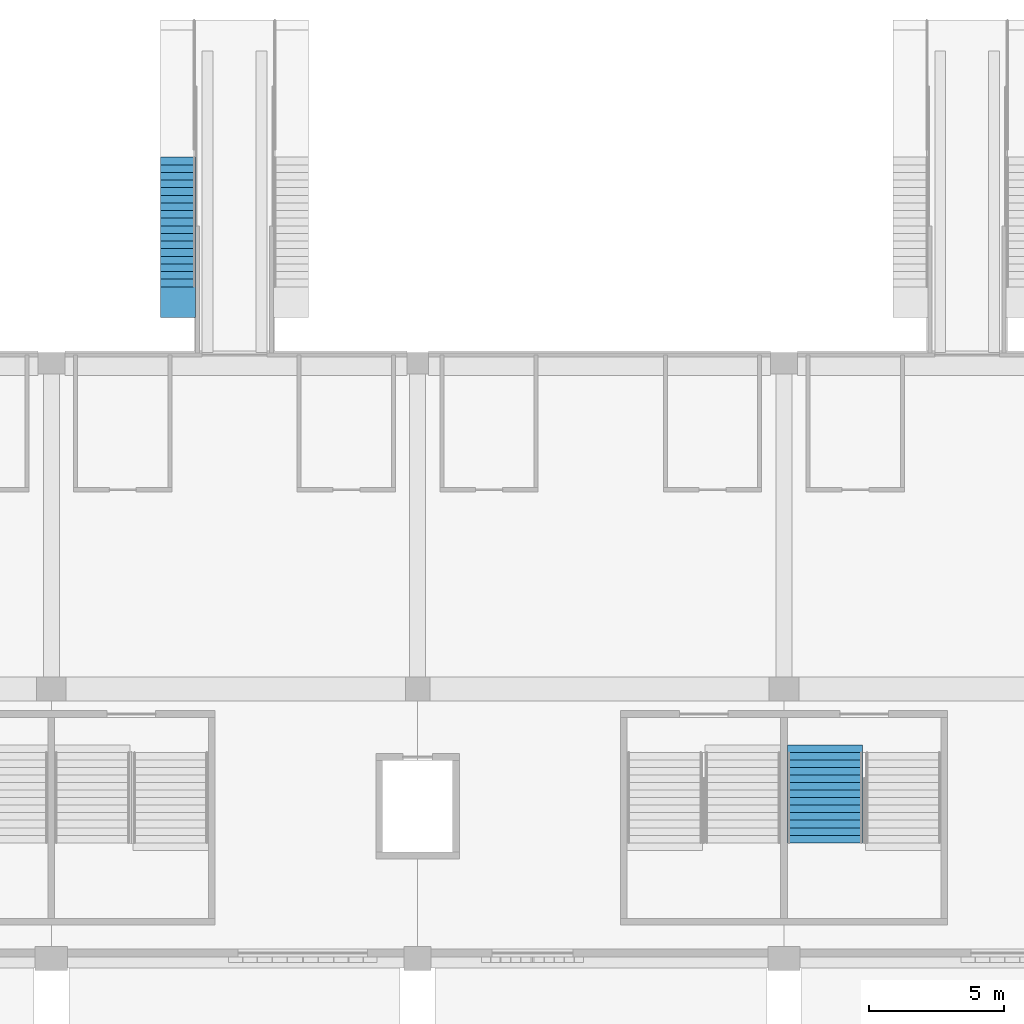
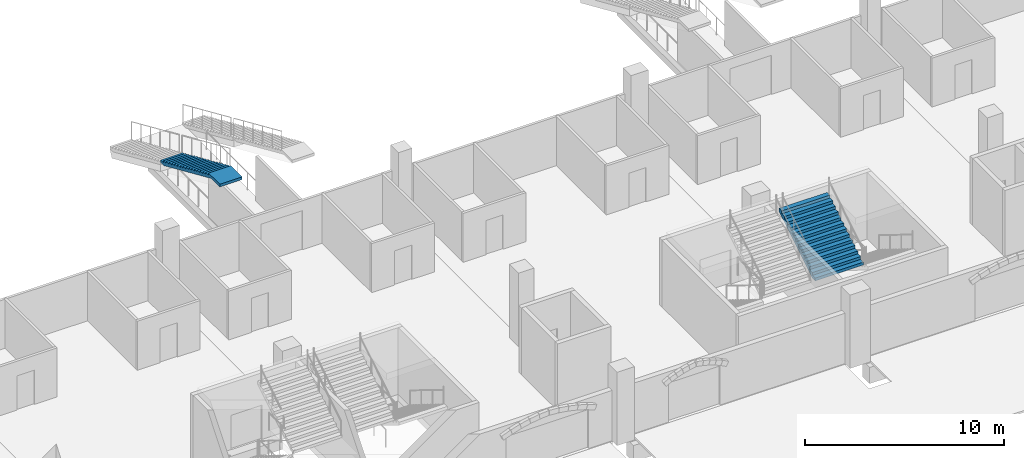
# One storey, part 66 of 175: 2 stair flights, 2 elements without a shape of their own.
"""IFC4 building model written with IfcOpenShell, lengths in metres."""

from ifc_helpers import new_model, si_unit, direction, frame, origin, place, context, subcontext, project, spatial, faceted_brep, material, type_object, element, aggregate, save


model = new_model("IFC4")

# Units and contexts
model_context = context("Model", 3, precision=1e-05, world=origin(), true_north=direction((0.0, 1.0)))
body_context = subcontext(model_context, "Body", "Model", "MODEL_VIEW")
ifc_project = project(units=[si_unit("LENGTHUNIT", "METRE"), si_unit("AREAUNIT", "SQUARE_METRE"), si_unit("VOLUMEUNIT", "CUBIC_METRE"), si_unit("PLANEANGLEUNIT", "RADIAN"), si_unit("MASSUNIT", "GRAM", prefix="KILO")], contexts=[model_context])

# Site, building, storey
site_placement = place(None, origin())
site = spatial("IfcSite", under=ifc_project, at=site_placement, CompositionType="ELEMENT")
building_placement = place(site_placement, origin())
building = spatial("IfcBuilding", under=site, at=building_placement, Name="Ogive Plaza Stadium", CompositionType="ELEMENT")
storey_placement = place(building_placement, origin())
storey = spatial("IfcBuildingStorey", under=building, at=storey_placement, Name="L00", CompositionType="ELEMENT", Elevation=0.0)

# Stair, stair flight
ifc_material_1 = material(Name="Concrete C40/50", Category="concrete")
stair_type_1 = type_object("IfcStairType", Name="Aisle stair", PredefinedType="STRAIGHT_RUN_STAIR", material=ifc_material_1)
stair_1_placement = place(storey_placement, origin())
stair_1 = element("IfcStair", 1, at=stair_1_placement, inside=storey, type_object=stair_type_1, Name="Aisle stair SA15L", PredefinedType="STRAIGHT_RUN_STAIR")
ifc_material_2 = material(Name="Concrete C40/50", Category="concrete")
stair_flight_type_1 = type_object("IfcStairFlightType", Name="Aisle stair flight", PredefinedType="STRAIGHT", material=ifc_material_2)
stair_flight_1_placement = place(storey_placement, frame((-15.699951171875, -72.75, 2.25), z_axis=(0.0, 0.0, 1.0), x_axis=(0.0, -1.0, 0.0)))
stair_flight_1 = element("IfcStairFlight", 2, at=stair_flight_1_placement, type_object=stair_flight_type_1, Name="SA15L flight 2", NumberOfRisers=18, NumberOfTreads=17, PredefinedType="STRAIGHT", RiserHeight=0.125, TreadLength=0.283333333, context=body_context, shape_type="Brep", body=[
    faceted_brep([(0.371337890625, -0.64990234375, 0.0), (5.10009765625, -0.64990234375, 2.086181640625), (5.949951171875, -0.64990234375, 2.086181640625), (5.949951171875, -0.64990234375, 2.25), (4.816650390625, -0.64990234375, 2.25), (4.816650390625, -0.64990234375, 2.125), (4.533447265625, -0.64990234375, 2.125), (4.533447265625, -0.64990234375, 2.0), (4.25, -0.64990234375, 2.0), (4.25, -0.64990234375, 1.875), (3.966552734375, -0.64990234375, 1.875), (3.966552734375, -0.64990234375, 1.75), (3.683349609375, -0.64990234375, 1.75), (3.683349609375, -0.64990234375, 1.625), (3.39990234375, -0.64990234375, 1.625), (3.39990234375, -0.64990234375, 1.5), (3.11669921875, -0.64990234375, 1.5), (3.11669921875, -0.64990234375, 1.375), (2.833251953125, -0.64990234375, 1.375), (2.833251953125, -0.64990234375, 1.25), (2.550048828125, -0.64990234375, 1.25), (2.550048828125, -0.64990234375, 1.125), (2.2666015625, -0.64990234375, 1.125), (2.2666015625, -0.64990234375, 1.0), (1.9833984375, -0.64990234375, 1.0), (1.9833984375, -0.64990234375, 0.875), (1.699951171875, -0.64990234375, 0.875), (1.699951171875, -0.64990234375, 0.75), (1.416748046875, -0.64990234375, 0.75), (1.416748046875, -0.64990234375, 0.625), (1.13330078125, -0.64990234375, 0.625), (1.13330078125, -0.64990234375, 0.5), (0.85009765625, -0.64990234375, 0.5), (0.85009765625, -0.64990234375, 0.375), (0.566650390625, -0.64990234375, 0.375), (0.566650390625, -0.64990234375, 0.25), (0.283447265625, -0.64990234375, 0.25), (0.283447265625, -0.64990234375, 0.125), (0.0, -0.64990234375, 0.125), (0.0, -0.64990234375, 0.0), (0.0, 0.64990234375, 0.0), (0.0, 0.64990234375, 0.125), (0.283447265625, 0.64990234375, 0.125), (0.283447265625, 0.64990234375, 0.25), (0.566650390625, 0.64990234375, 0.25), (0.566650390625, 0.64990234375, 0.375), (0.85009765625, 0.64990234375, 0.375), (0.85009765625, 0.64990234375, 0.5), (1.13330078125, 0.64990234375, 0.5), (1.13330078125, 0.64990234375, 0.625), (1.416748046875, 0.64990234375, 0.625), (1.416748046875, 0.64990234375, 0.75), (1.699951171875, 0.64990234375, 0.75), (1.699951171875, 0.64990234375, 0.875), (1.9833984375, 0.64990234375, 0.875), (1.9833984375, 0.64990234375, 1.0), (2.2666015625, 0.64990234375, 1.0), (2.2666015625, 0.64990234375, 1.125), (2.550048828125, 0.64990234375, 1.125), (2.550048828125, 0.64990234375, 1.25), (2.833251953125, 0.64990234375, 1.25), (2.833251953125, 0.64990234375, 1.375), (3.11669921875, 0.64990234375, 1.375), (3.11669921875, 0.64990234375, 1.5), (3.39990234375, 0.64990234375, 1.5), (3.39990234375, 0.64990234375, 1.625), (3.683349609375, 0.64990234375, 1.625), (3.683349609375, 0.64990234375, 1.75), (3.966552734375, 0.64990234375, 1.75), (3.966552734375, 0.64990234375, 1.875), (4.25, 0.64990234375, 1.875), (4.25, 0.64990234375, 2.0), (4.533447265625, 0.64990234375, 2.0), (4.533447265625, 0.64990234375, 2.125), (4.816650390625, 0.64990234375, 2.125), (4.816650390625, 0.64990234375, 2.25), (5.949951171875, 0.64990234375, 2.25), (5.949951171875, 0.64990234375, 2.086181640625), (5.10009765625, 0.64990234375, 2.086181640625), (0.371337890625, 0.64990234375, 0.0), (0.371337890625, -0.324951171875, 0.0), (5.10009765625, -0.324951171875, 2.086181640625), (0.371337890625, 0.0, 0.0), (5.10009765625, 0.0, 2.086181640625), (0.371337890625, 0.324951171875, 0.0), (5.10009765625, 0.324951171875, 2.086181640625), (5.949951171875, -0.324951171875, 2.086181640625), (5.949951171875, 0.0, 2.086181640625), (5.949951171875, 0.324951171875, 2.086181640625), (5.949951171875, -0.324951171875, 2.25), (5.949951171875, 0.0, 2.25), (5.949951171875, 0.324951171875, 2.25), (4.816650390625, -0.324951171875, 2.25), (4.816650390625, 0.0, 2.25), (4.816650390625, 0.324951171875, 2.25), (4.816650390625, -0.324951171875, 2.125), (4.816650390625, 0.0, 2.125), (4.816650390625, 0.324951171875, 2.125), (4.533447265625, -0.324951171875, 2.125), (4.533447265625, 0.0, 2.125), (4.533447265625, 0.324951171875, 2.125), (4.533447265625, -0.324951171875, 2.0), (4.533447265625, 0.0, 2.0), (4.533447265625, 0.324951171875, 2.0), (4.25, -0.324951171875, 2.0), (4.25, 0.0, 2.0), (4.25, 0.324951171875, 2.0), (4.25, -0.324951171875, 1.875), (4.25, 0.0, 1.875), (4.25, 0.324951171875, 1.875), (3.966552734375, -0.324951171875, 1.875), (3.966552734375, 0.0, 1.875), (3.966552734375, 0.324951171875, 1.875), (3.966552734375, -0.324951171875, 1.75), (3.966552734375, 0.0, 1.75), (3.966552734375, 0.324951171875, 1.75), (3.683349609375, -0.324951171875, 1.75), (3.683349609375, 0.0, 1.75), (3.683349609375, 0.324951171875, 1.75), (3.683349609375, -0.324951171875, 1.625), (3.683349609375, 0.0, 1.625), (3.683349609375, 0.324951171875, 1.625), (3.39990234375, -0.324951171875, 1.625), (3.39990234375, 0.0, 1.625), (3.39990234375, 0.324951171875, 1.625), (3.39990234375, -0.324951171875, 1.5), (3.39990234375, 0.0, 1.5), (3.39990234375, 0.324951171875, 1.5), (3.11669921875, -0.324951171875, 1.5), (3.11669921875, 0.0, 1.5), (3.11669921875, 0.324951171875, 1.5), (3.11669921875, -0.324951171875, 1.375), (3.11669921875, 0.0, 1.375), (3.11669921875, 0.324951171875, 1.375), (2.833251953125, -0.324951171875, 1.375), (2.833251953125, 0.0, 1.375), (2.833251953125, 0.324951171875, 1.375), (2.833251953125, -0.324951171875, 1.25), (2.833251953125, 0.0, 1.25), (2.833251953125, 0.324951171875, 1.25), (2.550048828125, -0.324951171875, 1.25), (2.550048828125, 0.0, 1.25), (2.550048828125, 0.324951171875, 1.25), (2.550048828125, -0.324951171875, 1.125), (2.550048828125, 0.0, 1.125), (2.550048828125, 0.324951171875, 1.125), (2.2666015625, -0.324951171875, 1.125), (2.2666015625, 0.0, 1.125), (2.2666015625, 0.324951171875, 1.125), (2.2666015625, -0.324951171875, 1.0), (2.2666015625, 0.0, 1.0), (2.2666015625, 0.324951171875, 1.0), (1.9833984375, -0.324951171875, 1.0), (1.9833984375, 0.0, 1.0), (1.9833984375, 0.324951171875, 1.0), (1.9833984375, -0.324951171875, 0.875), (1.9833984375, 0.0, 0.875), (1.9833984375, 0.324951171875, 0.875), (1.699951171875, -0.324951171875, 0.875), (1.699951171875, 0.0, 0.875), (1.699951171875, 0.324951171875, 0.875), (1.699951171875, -0.324951171875, 0.75), (1.699951171875, 0.0, 0.75), (1.699951171875, 0.324951171875, 0.75), (1.416748046875, -0.324951171875, 0.75), (1.416748046875, 0.0, 0.75), (1.416748046875, 0.324951171875, 0.75), (1.416748046875, -0.324951171875, 0.625), (1.416748046875, 0.0, 0.625), (1.416748046875, 0.324951171875, 0.625), (1.13330078125, -0.324951171875, 0.625), (1.13330078125, 0.0, 0.625), (1.13330078125, 0.324951171875, 0.625), (1.13330078125, -0.324951171875, 0.5), (1.13330078125, 0.0, 0.5), (1.13330078125, 0.324951171875, 0.5), (0.85009765625, -0.324951171875, 0.5), (0.85009765625, 0.0, 0.5), (0.85009765625, 0.324951171875, 0.5), (0.85009765625, -0.324951171875, 0.375), (0.85009765625, 0.0, 0.375), (0.85009765625, 0.324951171875, 0.375), (0.566650390625, -0.324951171875, 0.375), (0.566650390625, 0.0, 0.375), (0.566650390625, 0.324951171875, 0.375), (0.566650390625, -0.324951171875, 0.25), (0.566650390625, 0.0, 0.25), (0.566650390625, 0.324951171875, 0.25), (0.283447265625, -0.324951171875, 0.25), (0.283447265625, 0.0, 0.25), (0.283447265625, 0.324951171875, 0.25), (0.283447265625, -0.324951171875, 0.125), (0.283447265625, 0.0, 0.125), (0.283447265625, 0.324951171875, 0.125), (0.0, -0.324951171875, 0.125), (0.0, 0.0, 0.125), (0.0, 0.324951171875, 0.125), (0.0, -0.324951171875, 0.0), (0.0, 0.0, 0.0), (0.0, 0.324951171875, 0.0)], [[[0, 1, 2, 3, 4, 5, 6, 7, 8, 9, 10, 11, 12, 13, 14, 15, 16, 17, 18, 19, 20, 21, 22, 23, 24, 25, 26, 27, 28, 29, 30, 31, 32, 33, 34, 35, 36, 37, 38, 39]], [[40, 41, 42, 43, 44, 45, 46, 47, 48, 49, 50, 51, 52, 53, 54, 55, 56, 57, 58, 59, 60, 61, 62, 63, 64, 65, 66, 67, 68, 69, 70, 71, 72, 73, 74, 75, 76, 77, 78, 79]], [[0, 80, 81, 1]], [[80, 82, 83, 81]], [[82, 84, 85, 83]], [[84, 79, 78, 85]], [[1, 81, 86, 2]], [[81, 83, 87, 86]], [[83, 85, 88, 87]], [[85, 78, 77, 88]], [[2, 86, 89, 3]], [[86, 87, 90, 89]], [[87, 88, 91, 90]], [[88, 77, 76, 91]], [[3, 89, 92, 4]], [[89, 90, 93, 92]], [[90, 91, 94, 93]], [[91, 76, 75, 94]], [[4, 92, 95, 5]], [[92, 93, 96, 95]], [[93, 94, 97, 96]], [[94, 75, 74, 97]], [[5, 95, 98, 6]], [[95, 96, 99, 98]], [[96, 97, 100, 99]], [[97, 74, 73, 100]], [[6, 98, 101, 7]], [[98, 99, 102, 101]], [[99, 100, 103, 102]], [[100, 73, 72, 103]], [[7, 101, 104, 8]], [[101, 102, 105, 104]], [[102, 103, 106, 105]], [[103, 72, 71, 106]], [[8, 104, 107, 9]], [[104, 105, 108, 107]], [[105, 106, 109, 108]], [[106, 71, 70, 109]], [[9, 107, 110, 10]], [[107, 108, 111, 110]], [[108, 109, 112, 111]], [[109, 70, 69, 112]], [[10, 110, 113, 11]], [[110, 111, 114, 113]], [[111, 112, 115, 114]], [[112, 69, 68, 115]], [[11, 113, 116, 12]], [[113, 114, 117, 116]], [[114, 115, 118, 117]], [[115, 68, 67, 118]], [[12, 116, 119, 13]], [[116, 117, 120, 119]], [[117, 118, 121, 120]], [[118, 67, 66, 121]], [[13, 119, 122, 14]], [[119, 120, 123, 122]], [[120, 121, 124, 123]], [[121, 66, 65, 124]], [[14, 122, 125, 15]], [[122, 123, 126, 125]], [[123, 124, 127, 126]], [[124, 65, 64, 127]], [[15, 125, 128, 16]], [[125, 126, 129, 128]], [[126, 127, 130, 129]], [[127, 64, 63, 130]], [[16, 128, 131, 17]], [[128, 129, 132, 131]], [[129, 130, 133, 132]], [[130, 63, 62, 133]], [[17, 131, 134, 18]], [[131, 132, 135, 134]], [[132, 133, 136, 135]], [[133, 62, 61, 136]], [[18, 134, 137, 19]], [[134, 135, 138, 137]], [[135, 136, 139, 138]], [[136, 61, 60, 139]], [[19, 137, 140, 20]], [[137, 138, 141, 140]], [[138, 139, 142, 141]], [[139, 60, 59, 142]], [[20, 140, 143, 21]], [[140, 141, 144, 143]], [[141, 142, 145, 144]], [[142, 59, 58, 145]], [[21, 143, 146, 22]], [[143, 144, 147, 146]], [[144, 145, 148, 147]], [[145, 58, 57, 148]], [[22, 146, 149, 23]], [[146, 147, 150, 149]], [[147, 148, 151, 150]], [[148, 57, 56, 151]], [[23, 149, 152, 24]], [[149, 150, 153, 152]], [[150, 151, 154, 153]], [[151, 56, 55, 154]], [[24, 152, 155, 25]], [[152, 153, 156, 155]], [[153, 154, 157, 156]], [[154, 55, 54, 157]], [[25, 155, 158, 26]], [[155, 156, 159, 158]], [[156, 157, 160, 159]], [[157, 54, 53, 160]], [[26, 158, 161, 27]], [[158, 159, 162, 161]], [[159, 160, 163, 162]], [[160, 53, 52, 163]], [[27, 161, 164, 28]], [[161, 162, 165, 164]], [[162, 163, 166, 165]], [[163, 52, 51, 166]], [[28, 164, 167, 29]], [[164, 165, 168, 167]], [[165, 166, 169, 168]], [[166, 51, 50, 169]], [[29, 167, 170, 30]], [[167, 168, 171, 170]], [[168, 169, 172, 171]], [[169, 50, 49, 172]], [[30, 170, 173, 31]], [[170, 171, 174, 173]], [[171, 172, 175, 174]], [[172, 49, 48, 175]], [[31, 173, 176, 32]], [[173, 174, 177, 176]], [[174, 175, 178, 177]], [[175, 48, 47, 178]], [[32, 176, 179, 33]], [[176, 177, 180, 179]], [[177, 178, 181, 180]], [[178, 47, 46, 181]], [[33, 179, 182, 34]], [[179, 180, 183, 182]], [[180, 181, 184, 183]], [[181, 46, 45, 184]], [[34, 182, 185, 35]], [[182, 183, 186, 185]], [[183, 184, 187, 186]], [[184, 45, 44, 187]], [[35, 185, 188, 36]], [[185, 186, 189, 188]], [[186, 187, 190, 189]], [[187, 44, 43, 190]], [[36, 188, 191, 37]], [[188, 189, 192, 191]], [[189, 190, 193, 192]], [[190, 43, 42, 193]], [[37, 191, 194, 38]], [[191, 192, 195, 194]], [[192, 193, 196, 195]], [[193, 42, 41, 196]], [[38, 194, 197, 39]], [[194, 195, 198, 197]], [[195, 196, 199, 198]], [[196, 41, 40, 199]], [[39, 197, 80, 0]], [[197, 198, 82, 80]], [[198, 199, 84, 82]], [[199, 40, 79, 84]]]),
])
aggregate(stair_1, [stair_flight_1])

ifc_material_3 = material(Name="Concrete C40/50", Category="concrete")
stair_type_2 = type_object("IfcStairType", Name="Exit stair", PredefinedType="STRAIGHT_RUN_STAIR", material=ifc_material_3)
stair_2_placement = place(storey_placement, origin())
stair_2 = element("IfcStair", 3, at=stair_2_placement, inside=storey, type_object=stair_type_2, Name="Exit stair ST14B L00 to L01", PredefinedType="STRAIGHT_RUN_STAIR")
ifc_material_4 = material(Name="Concrete C40/50", Category="concrete")
stair_flight_type_2 = type_object("IfcStairFlightType", Name="Exit stair flight", PredefinedType="STRAIGHT", material=ifc_material_4)
stair_flight_2_placement = place(storey_placement, frame((8.324951171875, -98.2099609375, 2.25), z_axis=(0.0, 0.0, 1.0), x_axis=(0.0, 1.0, 0.0)))
stair_flight_2 = element("IfcStairFlight", 4, at=stair_flight_2_placement, type_object=stair_flight_type_2, Name="ST14B flight 2", NumberOfRisers=13, NumberOfTreads=12, PredefinedType="STRAIGHT", RiserHeight=0.173076923, TreadLength=0.28, context=body_context, shape_type="Brep", body=[
    faceted_brep([(0.28515625, -1.39990234375, 0.0), (3.639892578125, -1.39990234375, 2.07373046875), (3.639892578125, -1.39990234375, 2.25), (3.360107421875, -1.39990234375, 2.25), (3.360107421875, -1.39990234375, 2.076904296875), (3.080078125, -1.39990234375, 2.076904296875), (3.080078125, -1.39990234375, 1.90380859375), (2.800048828125, -1.39990234375, 1.90380859375), (2.800048828125, -1.39990234375, 1.730712890625), (2.52001953125, -1.39990234375, 1.730712890625), (2.52001953125, -1.39990234375, 1.5576171875), (2.239990234375, -1.39990234375, 1.5576171875), (2.239990234375, -1.39990234375, 1.384521484375), (1.9599609375, -1.39990234375, 1.384521484375), (1.9599609375, -1.39990234375, 1.21142578125), (1.679931640625, -1.39990234375, 1.21142578125), (1.679931640625, -1.39990234375, 1.03857421875), (1.39990234375, -1.39990234375, 1.03857421875), (1.39990234375, -1.39990234375, 0.865478515625), (1.1201171875, -1.39990234375, 0.865478515625), (1.1201171875, -1.39990234375, 0.6923828125), (0.840087890625, -1.39990234375, 0.6923828125), (0.840087890625, -1.39990234375, 0.519287109375), (0.56005859375, -1.39990234375, 0.519287109375), (0.56005859375, -1.39990234375, 0.34619140625), (0.280029296875, -1.39990234375, 0.34619140625), (0.280029296875, -1.39990234375, 0.173095703125), (0.0, -1.39990234375, 0.173095703125), (0.0, -1.39990234375, 0.0), (0.0, 1.39990234375, 0.0), (0.0, 1.39990234375, 0.173095703125), (0.280029296875, 1.39990234375, 0.173095703125), (0.280029296875, 1.39990234375, 0.34619140625), (0.56005859375, 1.39990234375, 0.34619140625), (0.56005859375, 1.39990234375, 0.519287109375), (0.840087890625, 1.39990234375, 0.519287109375), (0.840087890625, 1.39990234375, 0.6923828125), (1.1201171875, 1.39990234375, 0.6923828125), (1.1201171875, 1.39990234375, 0.865478515625), (1.39990234375, 1.39990234375, 0.865478515625), (1.39990234375, 1.39990234375, 1.03857421875), (1.679931640625, 1.39990234375, 1.03857421875), (1.679931640625, 1.39990234375, 1.21142578125), (1.9599609375, 1.39990234375, 1.21142578125), (1.9599609375, 1.39990234375, 1.384521484375), (2.239990234375, 1.39990234375, 1.384521484375), (2.239990234375, 1.39990234375, 1.5576171875), (2.52001953125, 1.39990234375, 1.5576171875), (2.52001953125, 1.39990234375, 1.730712890625), (2.800048828125, 1.39990234375, 1.730712890625), (2.800048828125, 1.39990234375, 1.90380859375), (3.080078125, 1.39990234375, 1.90380859375), (3.080078125, 1.39990234375, 2.076904296875), (3.360107421875, 1.39990234375, 2.076904296875), (3.360107421875, 1.39990234375, 2.25), (3.639892578125, 1.39990234375, 2.25), (3.639892578125, 1.39990234375, 2.07373046875), (0.28515625, 1.39990234375, 0.0), (0.28515625, -1.0888671875, 0.0), (3.639892578125, -1.0888671875, 2.07373046875), (0.28515625, -0.77783203125, 0.0), (3.639892578125, -0.77783203125, 2.07373046875), (0.28515625, -0.466796875, 0.0), (3.639892578125, -0.466796875, 2.07373046875), (0.28515625, -0.155517578125, 0.0), (3.639892578125, -0.155517578125, 2.07373046875), (0.28515625, 0.155517578125, 0.0), (3.639892578125, 0.155517578125, 2.07373046875), (0.28515625, 0.466796875, 0.0), (3.639892578125, 0.466796875, 2.07373046875), (0.28515625, 0.77783203125, 0.0), (3.639892578125, 0.77783203125, 2.07373046875), (0.28515625, 1.0888671875, 0.0), (3.639892578125, 1.0888671875, 2.07373046875), (3.639892578125, -1.0888671875, 2.25), (3.639892578125, -0.77783203125, 2.25), (3.639892578125, -0.466796875, 2.25), (3.639892578125, -0.155517578125, 2.25), (3.639892578125, 0.155517578125, 2.25), (3.639892578125, 0.466796875, 2.25), (3.639892578125, 0.77783203125, 2.25), (3.639892578125, 1.0888671875, 2.25), (3.360107421875, -1.0888671875, 2.25), (3.360107421875, -0.77783203125, 2.25), (3.360107421875, -0.466796875, 2.25), (3.360107421875, -0.155517578125, 2.25), (3.360107421875, 0.155517578125, 2.25), (3.360107421875, 0.466796875, 2.25), (3.360107421875, 0.77783203125, 2.25), (3.360107421875, 1.0888671875, 2.25), (3.360107421875, -1.0888671875, 2.076904296875), (3.360107421875, -0.77783203125, 2.076904296875), (3.360107421875, -0.466796875, 2.076904296875), (3.360107421875, -0.155517578125, 2.076904296875), (3.360107421875, 0.155517578125, 2.076904296875), (3.360107421875, 0.466796875, 2.076904296875), (3.360107421875, 0.77783203125, 2.076904296875), (3.360107421875, 1.0888671875, 2.076904296875), (3.080078125, -1.0888671875, 2.076904296875), (3.080078125, -0.77783203125, 2.076904296875), (3.080078125, -0.466796875, 2.076904296875), (3.080078125, -0.155517578125, 2.076904296875), (3.080078125, 0.155517578125, 2.076904296875), (3.080078125, 0.466796875, 2.076904296875), (3.080078125, 0.77783203125, 2.076904296875), (3.080078125, 1.0888671875, 2.076904296875), (3.080078125, -1.0888671875, 1.90380859375), (3.080078125, -0.77783203125, 1.90380859375), (3.080078125, -0.466796875, 1.90380859375), (3.080078125, -0.155517578125, 1.90380859375), (3.080078125, 0.155517578125, 1.90380859375), (3.080078125, 0.466796875, 1.90380859375), (3.080078125, 0.77783203125, 1.90380859375), (3.080078125, 1.0888671875, 1.90380859375), (2.800048828125, -1.0888671875, 1.90380859375), (2.800048828125, -0.77783203125, 1.90380859375), (2.800048828125, -0.466796875, 1.90380859375), (2.800048828125, -0.155517578125, 1.90380859375), (2.800048828125, 0.155517578125, 1.90380859375), (2.800048828125, 0.466796875, 1.90380859375), (2.800048828125, 0.77783203125, 1.90380859375), (2.800048828125, 1.0888671875, 1.90380859375), (2.800048828125, -1.0888671875, 1.730712890625), (2.800048828125, -0.77783203125, 1.730712890625), (2.800048828125, -0.466796875, 1.730712890625), (2.800048828125, -0.155517578125, 1.730712890625), (2.800048828125, 0.155517578125, 1.730712890625), (2.800048828125, 0.466796875, 1.730712890625), (2.800048828125, 0.77783203125, 1.730712890625), (2.800048828125, 1.0888671875, 1.730712890625), (2.52001953125, -1.0888671875, 1.730712890625), (2.52001953125, -0.77783203125, 1.730712890625), (2.52001953125, -0.466796875, 1.730712890625), (2.52001953125, -0.155517578125, 1.730712890625), (2.52001953125, 0.155517578125, 1.730712890625), (2.52001953125, 0.466796875, 1.730712890625), (2.52001953125, 0.77783203125, 1.730712890625), (2.52001953125, 1.0888671875, 1.730712890625), (2.52001953125, -1.0888671875, 1.5576171875), (2.52001953125, -0.77783203125, 1.5576171875), (2.52001953125, -0.466796875, 1.5576171875), (2.52001953125, -0.155517578125, 1.5576171875), (2.52001953125, 0.155517578125, 1.5576171875), (2.52001953125, 0.466796875, 1.5576171875), (2.52001953125, 0.77783203125, 1.5576171875), (2.52001953125, 1.0888671875, 1.5576171875), (2.239990234375, -1.0888671875, 1.5576171875), (2.239990234375, -0.77783203125, 1.5576171875), (2.239990234375, -0.466796875, 1.5576171875), (2.239990234375, -0.155517578125, 1.5576171875), (2.239990234375, 0.155517578125, 1.5576171875), (2.239990234375, 0.466796875, 1.5576171875), (2.239990234375, 0.77783203125, 1.5576171875), (2.239990234375, 1.0888671875, 1.5576171875), (2.239990234375, -1.0888671875, 1.384521484375), (2.239990234375, -0.77783203125, 1.384521484375), (2.239990234375, -0.466796875, 1.384521484375), (2.239990234375, -0.155517578125, 1.384521484375), (2.239990234375, 0.155517578125, 1.384521484375), (2.239990234375, 0.466796875, 1.384521484375), (2.239990234375, 0.77783203125, 1.384521484375), (2.239990234375, 1.0888671875, 1.384521484375), (1.9599609375, -1.0888671875, 1.384521484375), (1.9599609375, -0.77783203125, 1.384521484375), (1.9599609375, -0.466796875, 1.384521484375), (1.9599609375, -0.155517578125, 1.384521484375), (1.9599609375, 0.155517578125, 1.384521484375), (1.9599609375, 0.466796875, 1.384521484375), (1.9599609375, 0.77783203125, 1.384521484375), (1.9599609375, 1.0888671875, 1.384521484375), (1.9599609375, -1.0888671875, 1.21142578125), (1.9599609375, -0.77783203125, 1.21142578125), (1.9599609375, -0.466796875, 1.21142578125), (1.9599609375, -0.155517578125, 1.21142578125), (1.9599609375, 0.155517578125, 1.21142578125), (1.9599609375, 0.466796875, 1.21142578125), (1.9599609375, 0.77783203125, 1.21142578125), (1.9599609375, 1.0888671875, 1.21142578125), (1.679931640625, -1.0888671875, 1.21142578125), (1.679931640625, -0.77783203125, 1.21142578125), (1.679931640625, -0.466796875, 1.21142578125), (1.679931640625, -0.155517578125, 1.21142578125), (1.679931640625, 0.155517578125, 1.21142578125), (1.679931640625, 0.466796875, 1.21142578125), (1.679931640625, 0.77783203125, 1.21142578125), (1.679931640625, 1.0888671875, 1.21142578125), (1.679931640625, -1.0888671875, 1.03857421875), (1.679931640625, -0.77783203125, 1.03857421875), (1.679931640625, -0.466796875, 1.03857421875), (1.679931640625, -0.155517578125, 1.03857421875), (1.679931640625, 0.155517578125, 1.03857421875), (1.679931640625, 0.466796875, 1.03857421875), (1.679931640625, 0.77783203125, 1.03857421875), (1.679931640625, 1.0888671875, 1.03857421875), (1.39990234375, -1.0888671875, 1.03857421875), (1.39990234375, -0.77783203125, 1.03857421875), (1.39990234375, -0.466796875, 1.03857421875), (1.39990234375, -0.155517578125, 1.03857421875), (1.39990234375, 0.155517578125, 1.03857421875), (1.39990234375, 0.466796875, 1.03857421875), (1.39990234375, 0.77783203125, 1.03857421875), (1.39990234375, 1.0888671875, 1.03857421875), (1.39990234375, -1.0888671875, 0.865478515625), (1.39990234375, -0.77783203125, 0.865478515625), (1.39990234375, -0.466796875, 0.865478515625), (1.39990234375, -0.155517578125, 0.865478515625), (1.39990234375, 0.155517578125, 0.865478515625), (1.39990234375, 0.466796875, 0.865478515625), (1.39990234375, 0.77783203125, 0.865478515625), (1.39990234375, 1.0888671875, 0.865478515625), (1.1201171875, -1.0888671875, 0.865478515625), (1.1201171875, -0.77783203125, 0.865478515625), (1.1201171875, -0.466796875, 0.865478515625), (1.1201171875, -0.155517578125, 0.865478515625), (1.1201171875, 0.155517578125, 0.865478515625), (1.1201171875, 0.466796875, 0.865478515625), (1.1201171875, 0.77783203125, 0.865478515625), (1.1201171875, 1.0888671875, 0.865478515625), (1.1201171875, -1.0888671875, 0.6923828125), (1.1201171875, -0.77783203125, 0.6923828125), (1.1201171875, -0.466796875, 0.6923828125), (1.1201171875, -0.155517578125, 0.6923828125), (1.1201171875, 0.155517578125, 0.6923828125), (1.1201171875, 0.466796875, 0.6923828125), (1.1201171875, 0.77783203125, 0.6923828125), (1.1201171875, 1.0888671875, 0.6923828125), (0.840087890625, -1.0888671875, 0.6923828125), (0.840087890625, -0.77783203125, 0.6923828125), (0.840087890625, -0.466796875, 0.6923828125), (0.840087890625, -0.155517578125, 0.6923828125), (0.840087890625, 0.155517578125, 0.6923828125), (0.840087890625, 0.466796875, 0.6923828125), (0.840087890625, 0.77783203125, 0.6923828125), (0.840087890625, 1.0888671875, 0.6923828125), (0.840087890625, -1.0888671875, 0.519287109375), (0.840087890625, -0.77783203125, 0.519287109375), (0.840087890625, -0.466796875, 0.519287109375), (0.840087890625, -0.155517578125, 0.519287109375), (0.840087890625, 0.155517578125, 0.519287109375), (0.840087890625, 0.466796875, 0.519287109375), (0.840087890625, 0.77783203125, 0.519287109375), (0.840087890625, 1.0888671875, 0.519287109375), (0.56005859375, -1.0888671875, 0.519287109375), (0.56005859375, -0.77783203125, 0.519287109375), (0.56005859375, -0.466796875, 0.519287109375), (0.56005859375, -0.155517578125, 0.519287109375), (0.56005859375, 0.155517578125, 0.519287109375), (0.56005859375, 0.466796875, 0.519287109375), (0.56005859375, 0.77783203125, 0.519287109375), (0.56005859375, 1.0888671875, 0.519287109375), (0.56005859375, -1.0888671875, 0.34619140625), (0.56005859375, -0.77783203125, 0.34619140625), (0.56005859375, -0.466796875, 0.34619140625), (0.56005859375, -0.155517578125, 0.34619140625), (0.56005859375, 0.155517578125, 0.34619140625), (0.56005859375, 0.466796875, 0.34619140625), (0.56005859375, 0.77783203125, 0.34619140625), (0.56005859375, 1.0888671875, 0.34619140625), (0.280029296875, -1.0888671875, 0.34619140625), (0.280029296875, -0.77783203125, 0.34619140625), (0.280029296875, -0.466796875, 0.34619140625), (0.280029296875, -0.155517578125, 0.34619140625), (0.280029296875, 0.155517578125, 0.34619140625), (0.280029296875, 0.466796875, 0.34619140625), (0.280029296875, 0.77783203125, 0.34619140625), (0.280029296875, 1.0888671875, 0.34619140625), (0.280029296875, -1.0888671875, 0.173095703125), (0.280029296875, -0.77783203125, 0.173095703125), (0.280029296875, -0.466796875, 0.173095703125), (0.280029296875, -0.155517578125, 0.173095703125), (0.280029296875, 0.155517578125, 0.173095703125), (0.280029296875, 0.466796875, 0.173095703125), (0.280029296875, 0.77783203125, 0.173095703125), (0.280029296875, 1.0888671875, 0.173095703125), (0.0, -1.0888671875, 0.173095703125), (0.0, -0.77783203125, 0.173095703125), (0.0, -0.466796875, 0.173095703125), (0.0, -0.155517578125, 0.173095703125), (0.0, 0.155517578125, 0.173095703125), (0.0, 0.466796875, 0.173095703125), (0.0, 0.77783203125, 0.173095703125), (0.0, 1.0888671875, 0.173095703125), (0.0, -1.0888671875, 0.0), (0.0, -0.77783203125, 0.0), (0.0, -0.466796875, 0.0), (0.0, -0.155517578125, 0.0), (0.0, 0.155517578125, 0.0), (0.0, 0.466796875, 0.0), (0.0, 0.77783203125, 0.0), (0.0, 1.0888671875, 0.0)], [[[0, 1, 2, 3, 4, 5, 6, 7, 8, 9, 10, 11, 12, 13, 14, 15, 16, 17, 18, 19, 20, 21, 22, 23, 24, 25, 26, 27, 28]], [[29, 30, 31, 32, 33, 34, 35, 36, 37, 38, 39, 40, 41, 42, 43, 44, 45, 46, 47, 48, 49, 50, 51, 52, 53, 54, 55, 56, 57]], [[0, 58, 59, 1]], [[58, 60, 61, 59]], [[60, 62, 63, 61]], [[62, 64, 65, 63]], [[64, 66, 67, 65]], [[66, 68, 69, 67]], [[68, 70, 71, 69]], [[70, 72, 73, 71]], [[72, 57, 56, 73]], [[1, 59, 74, 2]], [[59, 61, 75, 74]], [[61, 63, 76, 75]], [[63, 65, 77, 76]], [[65, 67, 78, 77]], [[67, 69, 79, 78]], [[69, 71, 80, 79]], [[71, 73, 81, 80]], [[73, 56, 55, 81]], [[2, 74, 82, 3]], [[74, 75, 83, 82]], [[75, 76, 84, 83]], [[76, 77, 85, 84]], [[77, 78, 86, 85]], [[78, 79, 87, 86]], [[79, 80, 88, 87]], [[80, 81, 89, 88]], [[81, 55, 54, 89]], [[3, 82, 90, 4]], [[82, 83, 91, 90]], [[83, 84, 92, 91]], [[84, 85, 93, 92]], [[85, 86, 94, 93]], [[86, 87, 95, 94]], [[87, 88, 96, 95]], [[88, 89, 97, 96]], [[89, 54, 53, 97]], [[4, 90, 98, 5]], [[90, 91, 99, 98]], [[91, 92, 100, 99]], [[92, 93, 101, 100]], [[93, 94, 102, 101]], [[94, 95, 103, 102]], [[95, 96, 104, 103]], [[96, 97, 105, 104]], [[97, 53, 52, 105]], [[5, 98, 106, 6]], [[98, 99, 107, 106]], [[99, 100, 108, 107]], [[100, 101, 109, 108]], [[101, 102, 110, 109]], [[102, 103, 111, 110]], [[103, 104, 112, 111]], [[104, 105, 113, 112]], [[105, 52, 51, 113]], [[6, 106, 114, 7]], [[106, 107, 115, 114]], [[107, 108, 116, 115]], [[108, 109, 117, 116]], [[109, 110, 118, 117]], [[110, 111, 119, 118]], [[111, 112, 120, 119]], [[112, 113, 121, 120]], [[113, 51, 50, 121]], [[7, 114, 122, 8]], [[114, 115, 123, 122]], [[115, 116, 124, 123]], [[116, 117, 125, 124]], [[117, 118, 126, 125]], [[118, 119, 127, 126]], [[119, 120, 128, 127]], [[120, 121, 129, 128]], [[121, 50, 49, 129]], [[8, 122, 130, 9]], [[122, 123, 131, 130]], [[123, 124, 132, 131]], [[124, 125, 133, 132]], [[125, 126, 134, 133]], [[126, 127, 135, 134]], [[127, 128, 136, 135]], [[128, 129, 137, 136]], [[129, 49, 48, 137]], [[9, 130, 138, 10]], [[130, 131, 139, 138]], [[131, 132, 140, 139]], [[132, 133, 141, 140]], [[133, 134, 142, 141]], [[134, 135, 143, 142]], [[135, 136, 144, 143]], [[136, 137, 145, 144]], [[137, 48, 47, 145]], [[10, 138, 146, 11]], [[138, 139, 147, 146]], [[139, 140, 148, 147]], [[140, 141, 149, 148]], [[141, 142, 150, 149]], [[142, 143, 151, 150]], [[143, 144, 152, 151]], [[144, 145, 153, 152]], [[145, 47, 46, 153]], [[11, 146, 154, 12]], [[146, 147, 155, 154]], [[147, 148, 156, 155]], [[148, 149, 157, 156]], [[149, 150, 158, 157]], [[150, 151, 159, 158]], [[151, 152, 160, 159]], [[152, 153, 161, 160]], [[153, 46, 45, 161]], [[12, 154, 162, 13]], [[154, 155, 163, 162]], [[155, 156, 164, 163]], [[156, 157, 165, 164]], [[157, 158, 166, 165]], [[158, 159, 167, 166]], [[159, 160, 168, 167]], [[160, 161, 169, 168]], [[161, 45, 44, 169]], [[13, 162, 170, 14]], [[162, 163, 171, 170]], [[163, 164, 172, 171]], [[164, 165, 173, 172]], [[165, 166, 174, 173]], [[166, 167, 175, 174]], [[167, 168, 176, 175]], [[168, 169, 177, 176]], [[169, 44, 43, 177]], [[14, 170, 178, 15]], [[170, 171, 179, 178]], [[171, 172, 180, 179]], [[172, 173, 181, 180]], [[173, 174, 182, 181]], [[174, 175, 183, 182]], [[175, 176, 184, 183]], [[176, 177, 185, 184]], [[177, 43, 42, 185]], [[15, 178, 186, 16]], [[178, 179, 187, 186]], [[179, 180, 188, 187]], [[180, 181, 189, 188]], [[181, 182, 190, 189]], [[182, 183, 191, 190]], [[183, 184, 192, 191]], [[184, 185, 193, 192]], [[185, 42, 41, 193]], [[16, 186, 194, 17]], [[186, 187, 195, 194]], [[187, 188, 196, 195]], [[188, 189, 197, 196]], [[189, 190, 198, 197]], [[190, 191, 199, 198]], [[191, 192, 200, 199]], [[192, 193, 201, 200]], [[193, 41, 40, 201]], [[17, 194, 202, 18]], [[194, 195, 203, 202]], [[195, 196, 204, 203]], [[196, 197, 205, 204]], [[197, 198, 206, 205]], [[198, 199, 207, 206]], [[199, 200, 208, 207]], [[200, 201, 209, 208]], [[201, 40, 39, 209]], [[18, 202, 210, 19]], [[202, 203, 211, 210]], [[203, 204, 212, 211]], [[204, 205, 213, 212]], [[205, 206, 214, 213]], [[206, 207, 215, 214]], [[207, 208, 216, 215]], [[208, 209, 217, 216]], [[209, 39, 38, 217]], [[19, 210, 218, 20]], [[210, 211, 219, 218]], [[211, 212, 220, 219]], [[212, 213, 221, 220]], [[213, 214, 222, 221]], [[214, 215, 223, 222]], [[215, 216, 224, 223]], [[216, 217, 225, 224]], [[217, 38, 37, 225]], [[20, 218, 226, 21]], [[218, 219, 227, 226]], [[219, 220, 228, 227]], [[220, 221, 229, 228]], [[221, 222, 230, 229]], [[222, 223, 231, 230]], [[223, 224, 232, 231]], [[224, 225, 233, 232]], [[225, 37, 36, 233]], [[21, 226, 234, 22]], [[226, 227, 235, 234]], [[227, 228, 236, 235]], [[228, 229, 237, 236]], [[229, 230, 238, 237]], [[230, 231, 239, 238]], [[231, 232, 240, 239]], [[232, 233, 241, 240]], [[233, 36, 35, 241]], [[22, 234, 242, 23]], [[234, 235, 243, 242]], [[235, 236, 244, 243]], [[236, 237, 245, 244]], [[237, 238, 246, 245]], [[238, 239, 247, 246]], [[239, 240, 248, 247]], [[240, 241, 249, 248]], [[241, 35, 34, 249]], [[23, 242, 250, 24]], [[242, 243, 251, 250]], [[243, 244, 252, 251]], [[244, 245, 253, 252]], [[245, 246, 254, 253]], [[246, 247, 255, 254]], [[247, 248, 256, 255]], [[248, 249, 257, 256]], [[249, 34, 33, 257]], [[24, 250, 258, 25]], [[250, 251, 259, 258]], [[251, 252, 260, 259]], [[252, 253, 261, 260]], [[253, 254, 262, 261]], [[254, 255, 263, 262]], [[255, 256, 264, 263]], [[256, 257, 265, 264]], [[257, 33, 32, 265]], [[25, 258, 266, 26]], [[258, 259, 267, 266]], [[259, 260, 268, 267]], [[260, 261, 269, 268]], [[261, 262, 270, 269]], [[262, 263, 271, 270]], [[263, 264, 272, 271]], [[264, 265, 273, 272]], [[265, 32, 31, 273]], [[26, 266, 274, 27]], [[266, 267, 275, 274]], [[267, 268, 276, 275]], [[268, 269, 277, 276]], [[269, 270, 278, 277]], [[270, 271, 279, 278]], [[271, 272, 280, 279]], [[272, 273, 281, 280]], [[273, 31, 30, 281]], [[27, 274, 282, 28]], [[274, 275, 283, 282]], [[275, 276, 284, 283]], [[276, 277, 285, 284]], [[277, 278, 286, 285]], [[278, 279, 287, 286]], [[279, 280, 288, 287]], [[280, 281, 289, 288]], [[281, 30, 29, 289]], [[28, 282, 58, 0]], [[282, 283, 60, 58]], [[283, 284, 62, 60]], [[284, 285, 64, 62]], [[285, 286, 66, 64]], [[286, 287, 68, 66]], [[287, 288, 70, 68]], [[288, 289, 72, 70]], [[289, 29, 57, 72]]]),
])
aggregate(stair_2, [stair_flight_2])

save(model, "model.ifc")
